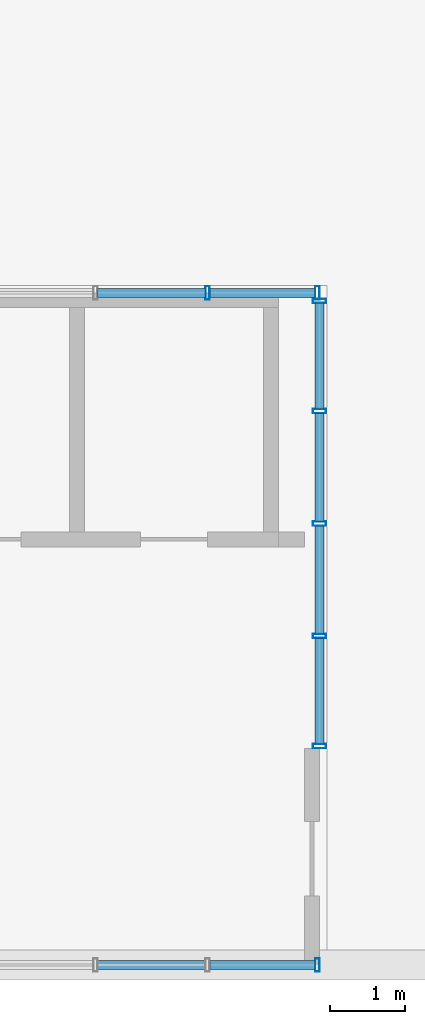
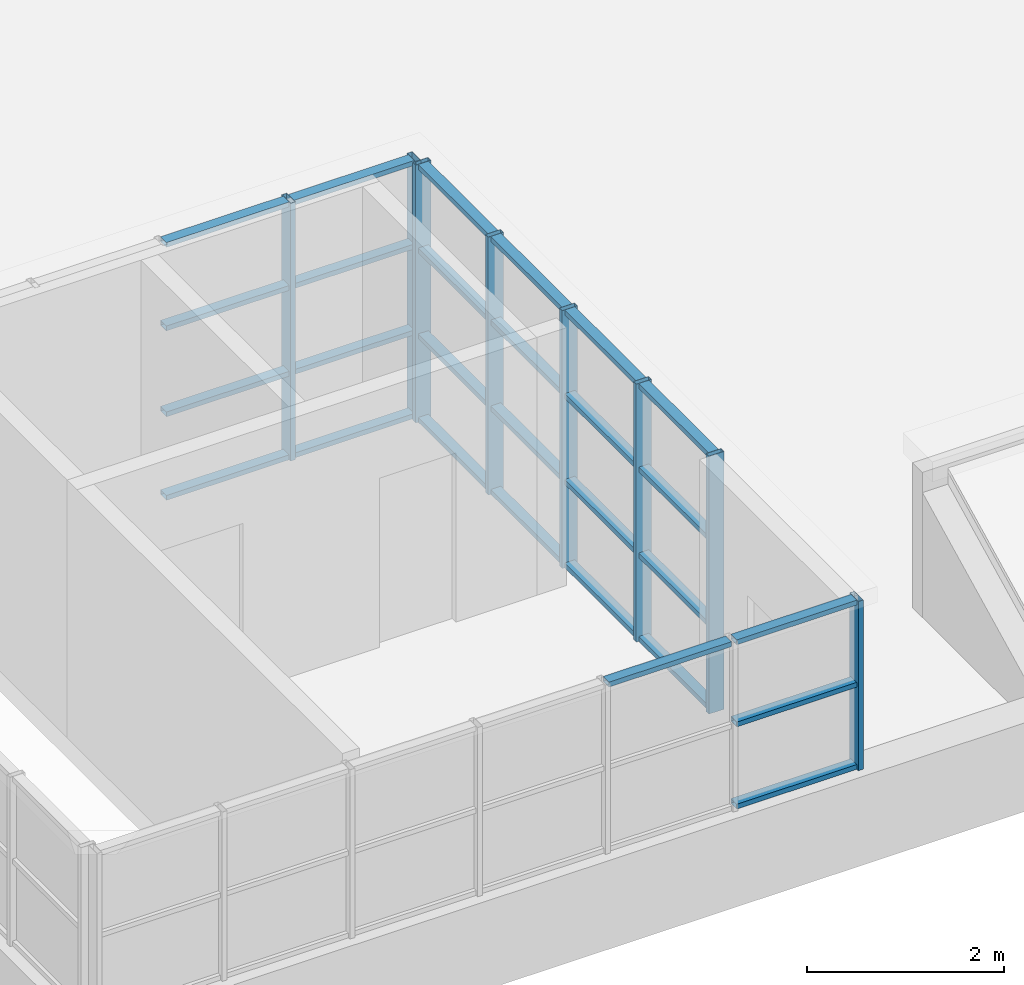
# One storey, part 3 of 69: 36 members, 3 elements without a shape of their own.
"""IFC4 building model written with IfcOpenShell, lengths in metres."""

from ifc_helpers import new_model, si_unit, direction, frame, origin, origin_2d, place, context, subcontext, project, spatial, hollow_rectangle, extrude, material, material_profile, profile_set, type_object, element, aggregate, save


model = new_model("IFC4")

# Units and contexts
model_context = context("Model", 3, precision=1e-05, world=origin(), true_north=direction((0.0, 1.0)))
body_context = subcontext(model_context, "Body", "Model", "MODEL_VIEW")
ifc_project = project(units=[si_unit("LENGTHUNIT", "METRE"), si_unit("AREAUNIT", "SQUARE_METRE"), si_unit("VOLUMEUNIT", "CUBIC_METRE"), si_unit("PLANEANGLEUNIT", "RADIAN"), si_unit("MASSUNIT", "GRAM", prefix="KILO")], contexts=[model_context])

# Site, building, storey
site_placement = place(None, origin())
site = spatial("IfcSite", under=ifc_project, at=site_placement, CompositionType="ELEMENT")
building_placement = place(site_placement, origin())
building = spatial("IfcBuilding", under=site, at=building_placement, Name="Kallimachos Central Library", CompositionType="ELEMENT")
storey_placement = place(building_placement, frame((0.0, 0.0, 23.39990234375)))
storey = spatial("IfcBuildingStorey", under=building, at=storey_placement, Name="L05", CompositionType="ELEMENT", Elevation=23.39990234375)

# Curtain wall, member
ifc_material_1 = material(Name="Aluminium and laminated glass", Category="aluminium")
curtain_wall_type = type_object("IfcCurtainWallType", Name="Glazed lantern wall", PredefinedType="NOTDEFINED", material=ifc_material_1)
curtain_wall_1_placement = place(storey_placement, origin())
curtain_wall_1 = element("IfcCurtainWall", 1, at=curtain_wall_1_placement, inside=storey, type_object=curtain_wall_type, Name="V5-CWL-L05-001", PredefinedType="NOTDEFINED")
ifc_material_2 = material(Name="Anodised aluminium", Category="aluminium")
ifc_material_profile_1 = material_profile(ifc_material_2, hollow_rectangle(XDim=0.06005859375, YDim=0.179931640625, WallThickness=0.00390625, at=origin_2d()), Name="ALU MULLION 60x180")
ifc_profile_set_1 = profile_set([ifc_material_profile_1], Name="Anodised aluminium")
member_type_1 = type_object("IfcMemberType", Name="ALU MULLION 60x180 mullion", PredefinedType="MULLION", material=ifc_profile_set_1)
member_1_placement = place(storey_placement, frame((83.469970703125, 18.0, 1.10009765625), z_axis=(0.0, 0.0, 1.0), x_axis=(1.0, 0.0, 0.0)))
member_1 = element("IfcMember", 2, at=member_1_placement, type_object=member_type_1, Name="CW2 mullion 7", PredefinedType="MULLION", context=body_context, shape_type="SweptSolid", body=[
    extrude(hollow_rectangle(XDim=0.06005859375, YDim=0.179931640625, WallThickness=0.00390625, at=origin_2d()), origin(), (0.0, 0.0, 1.0), 2.10009765625),
])

# Curtain wall, members
curtain_wall_2_placement = place(storey_placement, origin())
curtain_wall_2 = element("IfcCurtainWall", 3, at=curtain_wall_2_placement, inside=storey, type_object=curtain_wall_type, Name="V5-CWL-L05-003", PredefinedType="NOTDEFINED")
member_2_placement = place(storey_placement, frame((82.0, 27.0, 0.0), z_axis=(0.0, 0.0, 1.0), x_axis=(1.0, 0.0, 0.0)))
member_2 = element("IfcMember", 4, at=member_2_placement, type_object=member_type_1, Name="CW4 mullion 6", PredefinedType="MULLION", context=body_context, shape_type="SweptSolid", body=[
    extrude(hollow_rectangle(XDim=0.06005859375, YDim=0.179931640625, WallThickness=0.00390625, at=origin_2d()), origin(), (0.0, 0.0, 1.0), 3.2001953125),
])
member_3_placement = place(storey_placement, frame((83.469970703125, 27.0, 0.0), z_axis=(0.0, 0.0, 1.0), x_axis=(1.0, 0.0, 0.0)))
member_3 = element("IfcMember", 5, at=member_3_placement, type_object=member_type_1, Name="CW4 mullion 7", PredefinedType="MULLION", context=body_context, shape_type="SweptSolid", body=[
    extrude(hollow_rectangle(XDim=0.06005859375, YDim=0.179931640625, WallThickness=0.00390625, at=origin_2d()), origin(), (0.0, 0.0, 1.0), 3.2001953125),
])

curtain_wall_3_placement = place(storey_placement, origin())
curtain_wall_3 = element("IfcCurtainWall", 6, at=curtain_wall_3_placement, inside=storey, type_object=curtain_wall_type, Name="V5-CWL-L05-004", PredefinedType="NOTDEFINED")
member_4_placement = place(storey_placement, frame((83.5, 20.929931640625, 0.0), z_axis=(0.0, 0.0, 1.0), x_axis=(0.0, 1.0, 0.0)))
member_4 = element("IfcMember", 7, at=member_4_placement, type_object=member_type_1, Name="CW5 mullion 1", PredefinedType="MULLION", context=body_context, shape_type="SweptSolid", body=[
    extrude(hollow_rectangle(XDim=0.06005859375, YDim=0.179931640625, WallThickness=0.00390625, at=origin_2d()), origin(), (0.0, 0.0, 1.0), 3.2001953125),
])
member_5_placement = place(storey_placement, frame((83.5, 22.405029296875, 0.0), z_axis=(0.0, 0.0, 1.0), x_axis=(0.0, 1.0, 0.0)))
member_5 = element("IfcMember", 8, at=member_5_placement, type_object=member_type_1, Name="CW5 mullion 2", PredefinedType="MULLION", context=body_context, shape_type="SweptSolid", body=[
    extrude(hollow_rectangle(XDim=0.06005859375, YDim=0.179931640625, WallThickness=0.00390625, at=origin_2d()), origin(), (0.0, 0.0, 1.0), 3.2001953125),
])
member_6_placement = place(storey_placement, frame((83.5, 23.909912109375, 0.0), z_axis=(0.0, 0.0, 1.0), x_axis=(0.0, 1.0, 0.0)))
member_6 = element("IfcMember", 9, at=member_6_placement, type_object=member_type_1, Name="CW5 mullion 3", PredefinedType="MULLION", context=body_context, shape_type="SweptSolid", body=[
    extrude(hollow_rectangle(XDim=0.06005859375, YDim=0.179931640625, WallThickness=0.00390625, at=origin_2d()), origin(), (0.0, 0.0, 1.0), 3.2001953125),
])
member_7_placement = place(storey_placement, frame((83.5, 25.4150390625, 0.0), z_axis=(0.0, 0.0, 1.0), x_axis=(0.0, 1.0, 0.0)))
member_7 = element("IfcMember", 10, at=member_7_placement, type_object=member_type_1, Name="CW5 mullion 4", PredefinedType="MULLION", context=body_context, shape_type="SweptSolid", body=[
    extrude(hollow_rectangle(XDim=0.06005859375, YDim=0.179931640625, WallThickness=0.00390625, at=origin_2d()), origin(), (0.0, 0.0, 1.0), 3.2001953125),
])
member_8_placement = place(storey_placement, frame((83.5, 26.889892578125, 0.0), z_axis=(0.0, 0.0, 1.0), x_axis=(0.0, 1.0, 0.0)))
member_8 = element("IfcMember", 11, at=member_8_placement, type_object=member_type_1, Name="CW5 mullion 5", PredefinedType="MULLION", context=body_context, shape_type="SweptSolid", body=[
    extrude(hollow_rectangle(XDim=0.06005859375, YDim=0.179931640625, WallThickness=0.00390625, at=origin_2d()), origin(), (0.0, 0.0, 1.0), 3.2001953125),
])

# Member
ifc_material_3 = material(Name="Anodised aluminium", Category="aluminium")
ifc_material_profile_2 = material_profile(ifc_material_3, hollow_rectangle(XDim=0.06005859375, YDim=0.1201171875, WallThickness=0.00390625, at=origin_2d()), Name="ALU TRANSOM 60x120")
ifc_profile_set_2 = profile_set([ifc_material_profile_2], Name="Anodised aluminium")
member_type_2 = type_object("IfcMemberType", Name="ALU TRANSOM 60x120 transom", PredefinedType="USERDEFINED", material=ifc_profile_set_2)
member_9_placement = place(storey_placement, frame((80.530029296875, 18.0, 3.170166015625), z_axis=(1.0, 0.0, 0.0), x_axis=(0.0, 0.0, 1.0)))
member_9 = element("IfcMember", 12, at=member_9_placement, type_object=member_type_2, Name="CW2 transom 5.3", ObjectType="TRANSOM", PredefinedType="USERDEFINED", context=body_context, shape_type="SweptSolid", body=[
    extrude(hollow_rectangle(XDim=0.06005859375, YDim=0.1201171875, WallThickness=0.00390625, at=origin_2d()), origin(), (0.0, 0.0, 1.0), 1.43994140625),
])

member_10_placement = place(storey_placement, frame((82.030029296875, 18.0, 1.130126953125), z_axis=(1.0, 0.0, 0.0), x_axis=(0.0, 0.0, 1.0)))
member_10 = element("IfcMember", 13, at=member_10_placement, type_object=member_type_2, Name="CW2 transom 6.1", ObjectType="TRANSOM", PredefinedType="USERDEFINED", context=body_context, shape_type="SweptSolid", body=[
    extrude(hollow_rectangle(XDim=0.06005859375, YDim=0.1201171875, WallThickness=0.00390625, at=origin_2d()), origin(), (0.0, 0.0, 1.0), 1.409912109375),
])

member_11_placement = place(storey_placement, frame((82.030029296875, 18.0, 2.150146484375), z_axis=(1.0, 0.0, 0.0), x_axis=(0.0, 0.0, 1.0)))
member_11 = element("IfcMember", 14, at=member_11_placement, type_object=member_type_2, Name="CW2 transom 6.2", ObjectType="TRANSOM", PredefinedType="USERDEFINED", context=body_context, shape_type="SweptSolid", body=[
    extrude(hollow_rectangle(XDim=0.06005859375, YDim=0.1201171875, WallThickness=0.00390625, at=origin_2d()), origin(), (0.0, 0.0, 1.0), 1.409912109375),
])

member_12_placement = place(storey_placement, frame((82.030029296875, 18.0, 3.170166015625), z_axis=(1.0, 0.0, 0.0), x_axis=(0.0, 0.0, 1.0)))
member_12 = element("IfcMember", 15, at=member_12_placement, type_object=member_type_2, Name="CW2 transom 6.3", ObjectType="TRANSOM", PredefinedType="USERDEFINED", context=body_context, shape_type="SweptSolid", body=[
    extrude(hollow_rectangle(XDim=0.06005859375, YDim=0.1201171875, WallThickness=0.00390625, at=origin_2d()), origin(), (0.0, 0.0, 1.0), 1.409912109375),
])

aggregate(curtain_wall_1, [member_1, member_9, member_10, member_11, member_12])

member_13_placement = place(storey_placement, frame((80.530029296875, 27.0, 0.030029296875), z_axis=(1.0, 0.0, 0.0), x_axis=(0.0, 0.0, 1.0)))
member_13 = element("IfcMember", 16, at=member_13_placement, type_object=member_type_2, Name="CW4 transom 5.1", ObjectType="TRANSOM", PredefinedType="USERDEFINED", context=body_context, shape_type="SweptSolid", body=[
    extrude(hollow_rectangle(XDim=0.06005859375, YDim=0.1201171875, WallThickness=0.00390625, at=origin_2d()), origin(), (0.0, 0.0, 1.0), 1.43994140625),
])

member_14_placement = place(storey_placement, frame((80.530029296875, 27.0, 1.06689453125), z_axis=(1.0, 0.0, 0.0), x_axis=(0.0, 0.0, 1.0)))
member_14 = element("IfcMember", 17, at=member_14_placement, type_object=member_type_2, Name="CW4 transom 5.2", ObjectType="TRANSOM", PredefinedType="USERDEFINED", context=body_context, shape_type="SweptSolid", body=[
    extrude(hollow_rectangle(XDim=0.06005859375, YDim=0.1201171875, WallThickness=0.00390625, at=origin_2d()), origin(), (0.0, 0.0, 1.0), 1.43994140625),
])

member_15_placement = place(storey_placement, frame((80.530029296875, 27.0, 2.13330078125), z_axis=(1.0, 0.0, 0.0), x_axis=(0.0, 0.0, 1.0)))
member_15 = element("IfcMember", 18, at=member_15_placement, type_object=member_type_2, Name="CW4 transom 5.3", ObjectType="TRANSOM", PredefinedType="USERDEFINED", context=body_context, shape_type="SweptSolid", body=[
    extrude(hollow_rectangle(XDim=0.06005859375, YDim=0.1201171875, WallThickness=0.00390625, at=origin_2d()), origin(), (0.0, 0.0, 1.0), 1.43994140625),
])

member_16_placement = place(storey_placement, frame((80.530029296875, 27.0, 3.170166015625), z_axis=(1.0, 0.0, 0.0), x_axis=(0.0, 0.0, 1.0)))
member_16 = element("IfcMember", 19, at=member_16_placement, type_object=member_type_2, Name="CW4 transom 5.4", ObjectType="TRANSOM", PredefinedType="USERDEFINED", context=body_context, shape_type="SweptSolid", body=[
    extrude(hollow_rectangle(XDim=0.06005859375, YDim=0.1201171875, WallThickness=0.00390625, at=origin_2d()), origin(), (0.0, 0.0, 1.0), 1.43994140625),
])

member_17_placement = place(storey_placement, frame((82.030029296875, 27.0, 0.030029296875), z_axis=(1.0, 0.0, 0.0), x_axis=(0.0, 0.0, 1.0)))
member_17 = element("IfcMember", 20, at=member_17_placement, type_object=member_type_2, Name="CW4 transom 6.1", ObjectType="TRANSOM", PredefinedType="USERDEFINED", context=body_context, shape_type="SweptSolid", body=[
    extrude(hollow_rectangle(XDim=0.06005859375, YDim=0.1201171875, WallThickness=0.00390625, at=origin_2d()), origin(), (0.0, 0.0, 1.0), 1.409912109375),
])

member_18_placement = place(storey_placement, frame((82.030029296875, 27.0, 1.06689453125), z_axis=(1.0, 0.0, 0.0), x_axis=(0.0, 0.0, 1.0)))
member_18 = element("IfcMember", 21, at=member_18_placement, type_object=member_type_2, Name="CW4 transom 6.2", ObjectType="TRANSOM", PredefinedType="USERDEFINED", context=body_context, shape_type="SweptSolid", body=[
    extrude(hollow_rectangle(XDim=0.06005859375, YDim=0.1201171875, WallThickness=0.00390625, at=origin_2d()), origin(), (0.0, 0.0, 1.0), 1.409912109375),
])

member_19_placement = place(storey_placement, frame((82.030029296875, 27.0, 2.13330078125), z_axis=(1.0, 0.0, 0.0), x_axis=(0.0, 0.0, 1.0)))
member_19 = element("IfcMember", 22, at=member_19_placement, type_object=member_type_2, Name="CW4 transom 6.3", ObjectType="TRANSOM", PredefinedType="USERDEFINED", context=body_context, shape_type="SweptSolid", body=[
    extrude(hollow_rectangle(XDim=0.06005859375, YDim=0.1201171875, WallThickness=0.00390625, at=origin_2d()), origin(), (0.0, 0.0, 1.0), 1.409912109375),
])

member_20_placement = place(storey_placement, frame((82.030029296875, 27.0, 3.170166015625), z_axis=(1.0, 0.0, 0.0), x_axis=(0.0, 0.0, 1.0)))
member_20 = element("IfcMember", 23, at=member_20_placement, type_object=member_type_2, Name="CW4 transom 6.4", ObjectType="TRANSOM", PredefinedType="USERDEFINED", context=body_context, shape_type="SweptSolid", body=[
    extrude(hollow_rectangle(XDim=0.06005859375, YDim=0.1201171875, WallThickness=0.00390625, at=origin_2d()), origin(), (0.0, 0.0, 1.0), 1.409912109375),
])

aggregate(curtain_wall_2, [member_2, member_3, member_13, member_14, member_15, member_16, member_17, member_18, member_19, member_20])

member_21_placement = place(storey_placement, frame((83.5, 20.9599609375, 0.030029296875), z_axis=(0.0, 1.0, 0.0), x_axis=(0.0, 0.0, 1.0)))
member_21 = element("IfcMember", 24, at=member_21_placement, type_object=member_type_2, Name="CW5 transom 1.1", ObjectType="TRANSOM", PredefinedType="USERDEFINED", context=body_context, shape_type="SweptSolid", body=[
    extrude(hollow_rectangle(XDim=0.06005859375, YDim=0.1201171875, WallThickness=0.00390625, at=origin_2d()), origin(), (0.0, 0.0, 1.0), 1.4150390625),
])

member_22_placement = place(storey_placement, frame((83.5, 20.9599609375, 1.06689453125), z_axis=(0.0, 1.0, 0.0), x_axis=(0.0, 0.0, 1.0)))
member_22 = element("IfcMember", 25, at=member_22_placement, type_object=member_type_2, Name="CW5 transom 1.2", ObjectType="TRANSOM", PredefinedType="USERDEFINED", context=body_context, shape_type="SweptSolid", body=[
    extrude(hollow_rectangle(XDim=0.06005859375, YDim=0.1201171875, WallThickness=0.00390625, at=origin_2d()), origin(), (0.0, 0.0, 1.0), 1.4150390625),
])

member_23_placement = place(storey_placement, frame((83.5, 20.9599609375, 2.13330078125), z_axis=(0.0, 1.0, 0.0), x_axis=(0.0, 0.0, 1.0)))
member_23 = element("IfcMember", 26, at=member_23_placement, type_object=member_type_2, Name="CW5 transom 1.3", ObjectType="TRANSOM", PredefinedType="USERDEFINED", context=body_context, shape_type="SweptSolid", body=[
    extrude(hollow_rectangle(XDim=0.06005859375, YDim=0.1201171875, WallThickness=0.00390625, at=origin_2d()), origin(), (0.0, 0.0, 1.0), 1.4150390625),
])

member_24_placement = place(storey_placement, frame((83.5, 20.9599609375, 3.170166015625), z_axis=(0.0, 1.0, 0.0), x_axis=(0.0, 0.0, 1.0)))
member_24 = element("IfcMember", 27, at=member_24_placement, type_object=member_type_2, Name="CW5 transom 1.4", ObjectType="TRANSOM", PredefinedType="USERDEFINED", context=body_context, shape_type="SweptSolid", body=[
    extrude(hollow_rectangle(XDim=0.06005859375, YDim=0.1201171875, WallThickness=0.00390625, at=origin_2d()), origin(), (0.0, 0.0, 1.0), 1.4150390625),
])

member_25_placement = place(storey_placement, frame((83.5, 22.43505859375, 0.030029296875), z_axis=(0.0, 1.0, 0.0), x_axis=(0.0, 0.0, 1.0)))
member_25 = element("IfcMember", 28, at=member_25_placement, type_object=member_type_2, Name="CW5 transom 2.1", ObjectType="TRANSOM", PredefinedType="USERDEFINED", context=body_context, shape_type="SweptSolid", body=[
    extrude(hollow_rectangle(XDim=0.06005859375, YDim=0.1201171875, WallThickness=0.00390625, at=origin_2d()), origin(), (0.0, 0.0, 1.0), 1.44482421875),
])

member_26_placement = place(storey_placement, frame((83.5, 22.43505859375, 1.06689453125), z_axis=(0.0, 1.0, 0.0), x_axis=(0.0, 0.0, 1.0)))
member_26 = element("IfcMember", 29, at=member_26_placement, type_object=member_type_2, Name="CW5 transom 2.2", ObjectType="TRANSOM", PredefinedType="USERDEFINED", context=body_context, shape_type="SweptSolid", body=[
    extrude(hollow_rectangle(XDim=0.06005859375, YDim=0.1201171875, WallThickness=0.00390625, at=origin_2d()), origin(), (0.0, 0.0, 1.0), 1.44482421875),
])

member_27_placement = place(storey_placement, frame((83.5, 22.43505859375, 2.13330078125), z_axis=(0.0, 1.0, 0.0), x_axis=(0.0, 0.0, 1.0)))
member_27 = element("IfcMember", 30, at=member_27_placement, type_object=member_type_2, Name="CW5 transom 2.3", ObjectType="TRANSOM", PredefinedType="USERDEFINED", context=body_context, shape_type="SweptSolid", body=[
    extrude(hollow_rectangle(XDim=0.06005859375, YDim=0.1201171875, WallThickness=0.00390625, at=origin_2d()), origin(), (0.0, 0.0, 1.0), 1.44482421875),
])

member_28_placement = place(storey_placement, frame((83.5, 22.43505859375, 3.170166015625), z_axis=(0.0, 1.0, 0.0), x_axis=(0.0, 0.0, 1.0)))
member_28 = element("IfcMember", 31, at=member_28_placement, type_object=member_type_2, Name="CW5 transom 2.4", ObjectType="TRANSOM", PredefinedType="USERDEFINED", context=body_context, shape_type="SweptSolid", body=[
    extrude(hollow_rectangle(XDim=0.06005859375, YDim=0.1201171875, WallThickness=0.00390625, at=origin_2d()), origin(), (0.0, 0.0, 1.0), 1.44482421875),
])

member_29_placement = place(storey_placement, frame((83.5, 23.93994140625, 0.030029296875), z_axis=(0.0, 1.0, 0.0), x_axis=(0.0, 0.0, 1.0)))
member_29 = element("IfcMember", 32, at=member_29_placement, type_object=member_type_2, Name="CW5 transom 3.1", ObjectType="TRANSOM", PredefinedType="USERDEFINED", context=body_context, shape_type="SweptSolid", body=[
    extrude(hollow_rectangle(XDim=0.06005859375, YDim=0.1201171875, WallThickness=0.00390625, at=origin_2d()), origin(), (0.0, 0.0, 1.0), 1.445068359375),
])

member_30_placement = place(storey_placement, frame((83.5, 23.93994140625, 1.06689453125), z_axis=(0.0, 1.0, 0.0), x_axis=(0.0, 0.0, 1.0)))
member_30 = element("IfcMember", 33, at=member_30_placement, type_object=member_type_2, Name="CW5 transom 3.2", ObjectType="TRANSOM", PredefinedType="USERDEFINED", context=body_context, shape_type="SweptSolid", body=[
    extrude(hollow_rectangle(XDim=0.06005859375, YDim=0.1201171875, WallThickness=0.00390625, at=origin_2d()), origin(), (0.0, 0.0, 1.0), 1.445068359375),
])

member_31_placement = place(storey_placement, frame((83.5, 23.93994140625, 2.13330078125), z_axis=(0.0, 1.0, 0.0), x_axis=(0.0, 0.0, 1.0)))
member_31 = element("IfcMember", 34, at=member_31_placement, type_object=member_type_2, Name="CW5 transom 3.3", ObjectType="TRANSOM", PredefinedType="USERDEFINED", context=body_context, shape_type="SweptSolid", body=[
    extrude(hollow_rectangle(XDim=0.06005859375, YDim=0.1201171875, WallThickness=0.00390625, at=origin_2d()), origin(), (0.0, 0.0, 1.0), 1.445068359375),
])

member_32_placement = place(storey_placement, frame((83.5, 23.93994140625, 3.170166015625), z_axis=(0.0, 1.0, 0.0), x_axis=(0.0, 0.0, 1.0)))
member_32 = element("IfcMember", 35, at=member_32_placement, type_object=member_type_2, Name="CW5 transom 3.4", ObjectType="TRANSOM", PredefinedType="USERDEFINED", context=body_context, shape_type="SweptSolid", body=[
    extrude(hollow_rectangle(XDim=0.06005859375, YDim=0.1201171875, WallThickness=0.00390625, at=origin_2d()), origin(), (0.0, 0.0, 1.0), 1.445068359375),
])

member_33_placement = place(storey_placement, frame((83.5, 25.445068359375, 0.030029296875), z_axis=(0.0, 1.0, 0.0), x_axis=(0.0, 0.0, 1.0)))
member_33 = element("IfcMember", 36, at=member_33_placement, type_object=member_type_2, Name="CW5 transom 4.1", ObjectType="TRANSOM", PredefinedType="USERDEFINED", context=body_context, shape_type="SweptSolid", body=[
    extrude(hollow_rectangle(XDim=0.06005859375, YDim=0.1201171875, WallThickness=0.00390625, at=origin_2d()), origin(), (0.0, 0.0, 1.0), 1.4150390625),
])

member_34_placement = place(storey_placement, frame((83.5, 25.445068359375, 1.06689453125), z_axis=(0.0, 1.0, 0.0), x_axis=(0.0, 0.0, 1.0)))
member_34 = element("IfcMember", 37, at=member_34_placement, type_object=member_type_2, Name="CW5 transom 4.2", ObjectType="TRANSOM", PredefinedType="USERDEFINED", context=body_context, shape_type="SweptSolid", body=[
    extrude(hollow_rectangle(XDim=0.06005859375, YDim=0.1201171875, WallThickness=0.00390625, at=origin_2d()), origin(), (0.0, 0.0, 1.0), 1.4150390625),
])

member_35_placement = place(storey_placement, frame((83.5, 25.445068359375, 2.13330078125), z_axis=(0.0, 1.0, 0.0), x_axis=(0.0, 0.0, 1.0)))
member_35 = element("IfcMember", 38, at=member_35_placement, type_object=member_type_2, Name="CW5 transom 4.3", ObjectType="TRANSOM", PredefinedType="USERDEFINED", context=body_context, shape_type="SweptSolid", body=[
    extrude(hollow_rectangle(XDim=0.06005859375, YDim=0.1201171875, WallThickness=0.00390625, at=origin_2d()), origin(), (0.0, 0.0, 1.0), 1.4150390625),
])

member_36_placement = place(storey_placement, frame((83.5, 25.445068359375, 3.170166015625), z_axis=(0.0, 1.0, 0.0), x_axis=(0.0, 0.0, 1.0)))
member_36 = element("IfcMember", 39, at=member_36_placement, type_object=member_type_2, Name="CW5 transom 4.4", ObjectType="TRANSOM", PredefinedType="USERDEFINED", context=body_context, shape_type="SweptSolid", body=[
    extrude(hollow_rectangle(XDim=0.06005859375, YDim=0.1201171875, WallThickness=0.00390625, at=origin_2d()), origin(), (0.0, 0.0, 1.0), 1.4150390625),
])

aggregate(curtain_wall_3, [member_4, member_5, member_6, member_7, member_8, member_21, member_22, member_23, member_24, member_25, member_26, member_27, member_28, member_29, member_30, member_31, member_32, member_33, member_34, member_35, member_36])

save(model, "model.ifc")
